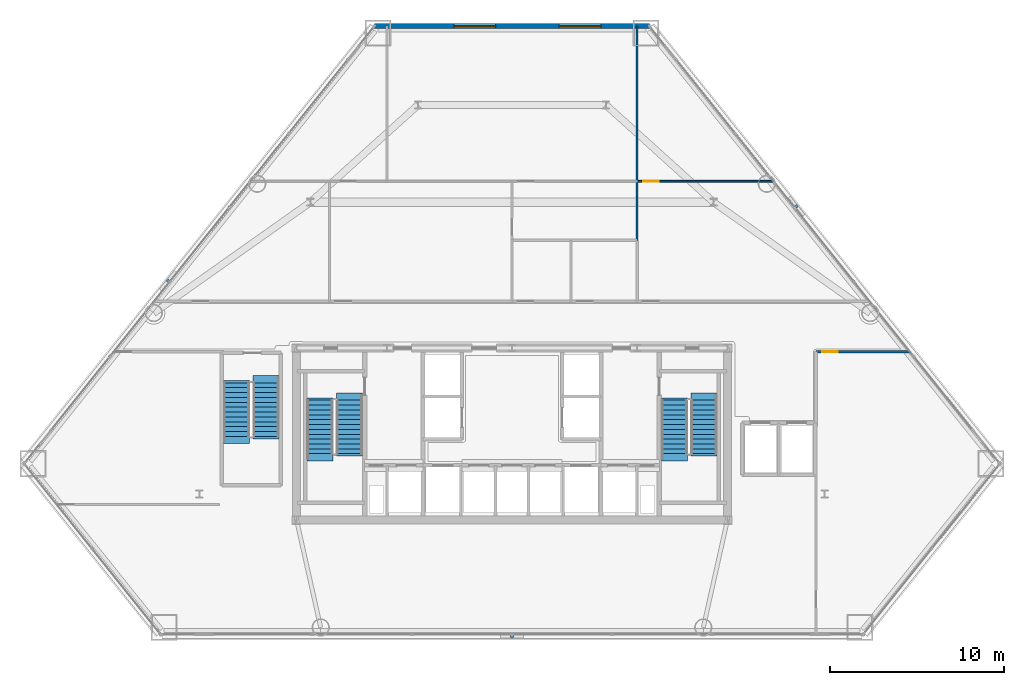
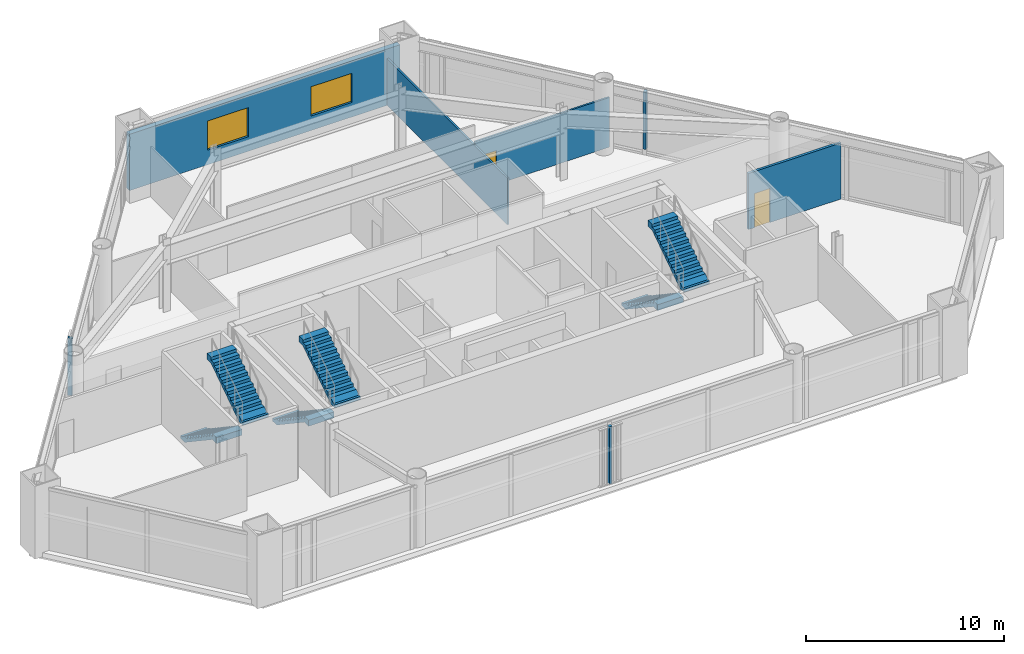
# One storey, part 10 of 13: 6 stair flights, 4 walls, 3 discrete accessories, 2 doors, 2 windows, 4 openings, 3 elements without a shape of their own.
"""IFC4 building model written with IfcOpenShell, lengths in metres."""

from ifc_helpers import new_model, si_unit, direction, frame, frame_2d, origin, origin_2d, place, context, subcontext, project, spatial, polyline, rectangle, outline, extrude, source, transform, mapped, material, layer, layer_set, type_object, type_shapes, element, fill, aggregate, save


model = new_model("IFC4")

# Units and contexts
model_context = context("Model", 3, precision=1e-05, world=origin(), true_north=direction((0.0, 1.0)))
body_context = subcontext(model_context, "Body", "Model", "MODEL_VIEW")
ifc_project = project(units=[si_unit("LENGTHUNIT", "METRE"), si_unit("AREAUNIT", "SQUARE_METRE"), si_unit("VOLUMEUNIT", "CUBIC_METRE"), si_unit("PLANEANGLEUNIT", "RADIAN"), si_unit("MASSUNIT", "GRAM", prefix="KILO")], contexts=[model_context])

# Site, building, storey
site_placement = place(None, origin())
site = spatial("IfcSite", under=ifc_project, at=site_placement, CompositionType="ELEMENT")
building_placement = place(site_placement, origin())
building = spatial("IfcBuilding", under=site, at=building_placement, Name="Talgorran Terracotta Tower", CompositionType="ELEMENT")
storey_placement = place(building_placement, frame((0.0, 0.0, 14.39990234375)))
storey = spatial("IfcBuildingStorey", under=building, at=storey_placement, Name="L03", CompositionType="ELEMENT", Elevation=14.39990234375)

# Wall, opening, door
ifc_material_1 = material(Name="Fire-Rated Steel Stud Plasterboard", Category="steel")
ifc_layer_1 = layer(ifc_material_1, 0.14990234375, Name="WT_FIRE_150")
ifc_layer_set_1 = layer_set([ifc_layer_1], Name="Fire-Rated Steel Stud Plasterboard")
wall_type_1 = type_object("IfcWallType", Name="WT_FIRE_150", PredefinedType="PARTITIONING", material=ifc_layer_set_1)
wall_1_placement = place(storey_placement, frame((17.5, -4.39990234375, 0.0), z_axis=(0.0, 0.0, 1.0), x_axis=(1.0, 0.0, 0.0)))
wall_1 = element("IfcWall", 1, at=wall_1_placement, inside=storey, type_object=wall_type_1, Name="WL-L03-W-L03-R03", PredefinedType="PARTITIONING", context=body_context, shape_type="SweptSolid", body=[
    extrude(rectangle(XDim=5.411865234375, YDim=0.14990234375, at=frame_2d((2.7060546875, 0.0))), origin(), (0.0, 0.0, 1.0), 3.46337890625),
])
opening_1_placement = place(wall_1_placement, frame((0.3583984375, 0.0, 0.0)))
opening_1 = element("IfcOpeningElement", 2, at=opening_1_placement, cuts=wall_1, Name="Opening DR-L03-R02", PredefinedType="OPENING", context=body_context, shape_type="SweptSolid", body=[
    extrude(rectangle(XDim=0.90590234375, YDim=2.10409765625, at=frame_2d((0.449951171875, 1.052001953125))), frame((0.0, 0.0849609375, 0.0), z_axis=(0.0, -1.0, 0.0), x_axis=(1.0, 0.0, 0.0)), (0.0, 0.0, 1.0), 0.169921875),
])
ifc_material_2 = material(Name="Fire-Rated Timber Core", Category="wood")
door_type_1 = type_object("IfcDoorType", Name="DT_FIRE_900", OperationType="NOTDEFINED", PredefinedType="DOOR", material=ifc_material_2)
door_1_placement = place(opening_1_placement, origin())
door_1 = element("IfcDoor", 3, at=door_1_placement, inside=storey, type_object=door_type_1, Name="DR-L03-R02", OperationType="SINGLE_SWING_RIGHT", OverallHeight=2.10009765625, OverallWidth=0.89990234375, PredefinedType="DOOR", context=body_context, shape_type="SweptSolid", body=[
    extrude(rectangle(XDim=0.89990234375, YDim=2.10009765625, at=frame_2d((0.449951171875, 1.050048828125))), frame((0.0, 0.02490234375, 0.0), z_axis=(0.0, -1.0, 0.0), x_axis=(1.0, 0.0, 0.0)), (0.0, 0.0, 1.0), 0.050048828125),
])
fill(opening_1, door_1)

# Wall
ifc_material_3 = material(Name="Lightweight Steel Stud Partition", Category="steel")
ifc_layer_2 = layer(ifc_material_3, 0.10498046875, Name="WT_PART_110")
ifc_layer_set_2 = layer_set([ifc_layer_2], Name="Lightweight Steel Stud Partition")
wall_type_2 = type_object("IfcWallType", Name="WT_PART_110", PredefinedType="PARTITIONING", material=ifc_layer_set_2)
wall_2_placement = place(storey_placement, frame((7.199951171875, 2.0, 0.0), z_axis=(0.0, 0.0, 1.0), x_axis=(0.0, 1.0, 0.0)))
element("IfcWall", 4, at=wall_2_placement, inside=storey, type_object=wall_type_2, Name="WL-L03-W-L03-R25", PredefinedType="PARTITIONING", context=body_context, shape_type="SweptSolid", body=[
    extrude(rectangle(XDim=12.3359375, YDim=0.10498046875, at=frame_2d((6.16796875, 0.0))), origin(), (0.0, 0.0, 1.0), 2.875),
])

# Wall, opening, door
wall_3_placement = place(storey_placement, frame((7.199951171875, 5.39990234375, 0.0), z_axis=(0.0, 0.0, 1.0), x_axis=(1.0, 0.0, 0.0)))
wall_3 = element("IfcWall", 5, at=wall_3_placement, inside=storey, type_object=wall_type_2, Name="WL-L03-W-L03-R23", PredefinedType="PARTITIONING", context=body_context, shape_type="SweptSolid", body=[
    extrude(rectangle(XDim=7.863037109375, YDim=0.10498046875, at=frame_2d((3.931640625, 0.0))), origin(), (0.0, 0.0, 1.0), 3.0751953125),
])
opening_2_placement = place(wall_3_placement, frame((0.358642578125, 0.0, 0.0)))
opening_2 = element("IfcOpeningElement", 6, at=opening_2_placement, cuts=wall_3, Name="Opening DR-L03-R12", PredefinedType="OPENING", context=body_context, shape_type="SweptSolid", body=[
    extrude(rectangle(XDim=0.8858828125, YDim=2.10409765625, at=frame_2d((0.43994140625, 1.052001953125))), frame((0.0, 0.0625, 0.0), z_axis=(0.0, -1.0, 0.0), x_axis=(1.0, 0.0, 0.0)), (0.0, 0.0, 1.0), 0.125),
])
ifc_material_4 = material(Name="Solid-Core Painted Timber", Category="wood")
door_type_2 = type_object("IfcDoorType", Name="DT_INT_880", OperationType="NOTDEFINED", PredefinedType="DOOR", material=ifc_material_4)
door_2_placement = place(opening_2_placement, origin())
door_2 = element("IfcDoor", 7, at=door_2_placement, inside=storey, type_object=door_type_2, Name="DR-L03-R12", OperationType="SINGLE_SWING_RIGHT", OverallHeight=2.10009765625, OverallWidth=0.8798828125, PredefinedType="DOOR", context=body_context, shape_type="SweptSolid", body=[
    extrude(rectangle(XDim=0.8798828125, YDim=2.10009765625, at=frame_2d((0.43994140625, 1.050048828125))), frame((0.0, 0.02490234375, 0.0), z_axis=(0.0, -1.0, 0.0), x_axis=(1.0, 0.0, 0.0)), (0.0, 0.0, 1.0), 0.050048828125),
])
fill(opening_2, door_2)

# Wall, openings, windows
ifc_material_5 = material(Name="Concrete C40/50", Category="concrete")
ifc_layer_3 = layer(ifc_material_5, 0.300048828125, Name="WT_PORTAL_PRECAST")
ifc_layer_set_3 = layer_set([ifc_layer_3], Name="Concrete C40/50")
wall_type_3 = type_object("IfcWallType", Name="WT_PORTAL_PRECAST", PredefinedType="SOLIDWALL", material=ifc_layer_set_3)
wall_4_placement = place(storey_placement, frame((7.906494140625, 14.3359375, -0.014892578125), z_axis=(0.0, 0.0, 1.0), x_axis=(-1.0, 0.0, 0.0)))
wall_4 = element("IfcWall", 8, at=wall_4_placement, inside=storey, type_object=wall_type_3, Name="WL-L03-PODS", PredefinedType="SOLIDWALL", context=body_context, shape_type="SweptSolid", body=[
    extrude(rectangle(XDim=15.81298828125, YDim=0.300048828125, at=frame_2d((7.906494140625, 0.0))), origin(), (0.0, 0.0, 1.0), 3.478271484375),
])
opening_3_placement = place(wall_4_placement, frame((2.78955078125, 0.0, 0.89990234375)))
opening_3 = element("IfcOpeningElement", 9, at=opening_3_placement, cuts=wall_4, Name="Opening WN-L03-1", PredefinedType="OPENING", context=body_context, shape_type="SweptSolid", body=[
    extrude(rectangle(XDim=2.40590234375, YDim=1.804048828125, at=frame_2d((1.199951171875, 0.902099609375))), frame((0.0, 0.16015625, 0.0), z_axis=(0.0, -1.0, 0.0), x_axis=(1.0, 0.0, 0.0)), (0.0, 0.0, 1.0), 0.320068359375),
])
opening_4_placement = place(wall_4_placement, frame((8.855224609375, 0.0, 0.89990234375)))
opening_4 = element("IfcOpeningElement", 10, at=opening_4_placement, cuts=wall_4, Name="Opening WN-L03-2", PredefinedType="OPENING", context=body_context, shape_type="SweptSolid", body=[
    extrude(rectangle(XDim=2.40590234375, YDim=1.804048828125, at=frame_2d((1.199951171875, 0.902099609375))), frame((0.0, 0.16015625, 0.0), z_axis=(0.0, -1.0, 0.0), x_axis=(1.0, 0.0, 0.0)), (0.0, 0.0, 1.0), 0.320068359375),
])
ifc_material_6 = material(Name="Thermally Broken Aluminium and Low-E Glass", Category="aluminium")
window_type = type_object("IfcWindowType", Name="WNT_CLINIC_2400", PartitioningType="SINGLE_PANEL", PredefinedType="WINDOW", material=ifc_material_6)
window_1_placement = place(opening_3_placement, origin())
window_1 = element("IfcWindow", 11, at=window_1_placement, inside=storey, type_object=window_type, Name="WN-L03-PODS-1", OverallHeight=1.800048828125, OverallWidth=2.39990234375, PartitioningType="SINGLE_PANEL", PredefinedType="WINDOW", context=body_context, shape_type="SweptSolid", body=[
    extrude(rectangle(XDim=2.39990234375, YDim=1.800048828125, at=frame_2d((1.199951171875, 0.89990234375))), frame((0.0, 0.030029296875, 0.0), z_axis=(0.0, -1.0, 0.0), x_axis=(1.0, 0.0, 0.0)), (0.0, 0.0, 1.0), 0.06005859375),
])
fill(opening_3, window_1)
window_2_placement = place(opening_4_placement, origin())
window_2 = element("IfcWindow", 12, at=window_2_placement, inside=storey, type_object=window_type, Name="WN-L03-PODS-2", OverallHeight=1.800048828125, OverallWidth=2.39990234375, PartitioningType="SINGLE_PANEL", PredefinedType="WINDOW", context=body_context, shape_type="SweptSolid", body=[
    extrude(rectangle(XDim=2.39990234375, YDim=1.800048828125, at=frame_2d((1.199951171875, 0.89990234375))), frame((0.0, 0.030029296875, 0.0), z_axis=(0.0, -1.0, 0.0), x_axis=(1.0, 0.0, 0.0)), (0.0, 0.0, 1.0), 0.06005859375),
])
fill(opening_4, window_2)

# Stair, stair flights
stair_type_1 = type_object("IfcStairType", Name="ST_FIRE_SCISSOR", PredefinedType="HALF_TURN_STAIR", material=ifc_material_5)
stair_1_placement = place(storey_placement, origin())
stair_1 = element("IfcStair", 13, at=stair_1_placement, inside=storey, type_object=stair_type_1, Name="L03 West Protected Fire Stair ST-01", PredefinedType="HALF_TURN_STAIR")
ifc_layer_4 = layer(ifc_material_5, 0.179931640625, Name="STF_RC_1500")
ifc_layer_set_4 = layer_set([ifc_layer_4], Name="Concrete C40/50")
stair_flight_type_1 = type_object("IfcStairFlightType", Name="STF_RC_1500", PredefinedType="STRAIGHT", material=ifc_layer_set_4)
stair_flight_1_placement = place(storey_placement, frame((-11.050048828125, -7.199951171875, 0.0), z_axis=(0.0, 0.0, 1.0), x_axis=(0.0, -1.0, 0.0)))
stair_flight_1 = element("IfcStairFlight", 14, at=stair_flight_1_placement, type_object=stair_flight_type_1, Name="ST-01 flight 1", NumberOfRisers=12, NumberOfTreads=11, PredefinedType="STRAIGHT", RiserHeight=0.1875, TreadLength=0.28, context=body_context, shape_type="SweptSolid", body=[
    extrude(outline(polyline([(-0.139892578125, 0.0), (-0.139892578125, 0.1875), (0.0, 0.1875), (0.280029296875, 0.375), (0.56005859375, 0.375), (0.56005859375, 0.5625), (0.840087890625, 0.5625), (0.840087890625, 0.75), (1.1201171875, 0.75), (1.1201171875, 0.9375), (1.39990234375, 0.9375), (1.39990234375, 1.125), (1.679931640625, 1.125), (1.679931640625, 1.3125), (1.9599609375, 1.3125), (1.9599609375, 1.5), (2.239990234375, 1.5), (2.239990234375, 1.6875), (2.52001953125, 1.6875), (2.52001953125, 1.875), (2.800048828125, 1.875), (2.800048828125, 2.0625), (3.080078125, 2.0625), (3.080078125, 2.25), (3.5, 2.25), (3.5, 1.882080078125), (3.080078125, 1.882080078125), (0.26953125, 0.0), (-0.139892578125, 0.0)])), frame((0.0, 0.75, 0.0), z_axis=(0.0, -1.0, 0.0), x_axis=(1.0, 0.0, 0.0)), (0.0, 0.0, 1.0), 1.5),
])
stair_flight_2_placement = place(storey_placement, frame((-9.35009765625, -10.280029296875, 2.25), z_axis=(0.0, 0.0, 1.0), x_axis=(0.0, 1.0, 0.0)))
stair_flight_2 = element("IfcStairFlight", 15, at=stair_flight_2_placement, type_object=stair_flight_type_1, Name="ST-01 flight 2", NumberOfRisers=12, NumberOfTreads=11, PredefinedType="STRAIGHT", RiserHeight=0.1875, TreadLength=0.28, context=body_context, shape_type="SweptSolid", body=[
    extrude(outline(polyline([(-0.139892578125, 0.0), (-0.139892578125, 0.1875), (0.0, 0.1875), (0.280029296875, 0.375), (0.56005859375, 0.375), (0.56005859375, 0.5625), (0.840087890625, 0.5625), (0.840087890625, 0.75), (1.1201171875, 0.75), (1.1201171875, 0.9375), (1.39990234375, 0.9375), (1.39990234375, 1.125), (1.679931640625, 1.125), (1.679931640625, 1.3125), (1.9599609375, 1.3125), (1.9599609375, 1.5), (2.239990234375, 1.5), (2.239990234375, 1.6875), (2.52001953125, 1.6875), (2.52001953125, 1.875), (2.800048828125, 1.875), (2.800048828125, 2.0625), (3.080078125, 2.0625), (3.080078125, 2.25), (3.5, 2.25), (3.5, 1.882080078125), (3.080078125, 1.882080078125), (0.26953125, 0.0), (-0.139892578125, 0.0)])), frame((0.0, 0.75, 0.0), z_axis=(0.0, -1.0, 0.0), x_axis=(1.0, 0.0, 0.0)), (0.0, 0.0, 1.0), 1.5),
])
aggregate(stair_1, [stair_flight_1, stair_flight_2])

stair_2_placement = place(storey_placement, origin())
stair_2 = element("IfcStair", 16, at=stair_2_placement, inside=storey, type_object=stair_type_1, Name="L03 East Protected Fire Stair ST-02", PredefinedType="HALF_TURN_STAIR")
stair_flight_3_placement = place(storey_placement, frame((9.35009765625, -7.199951171875, 0.0), z_axis=(0.0, 0.0, 1.0), x_axis=(0.0, -1.0, 0.0)))
stair_flight_3 = element("IfcStairFlight", 17, at=stair_flight_3_placement, type_object=stair_flight_type_1, Name="ST-02 flight 1", NumberOfRisers=12, NumberOfTreads=11, PredefinedType="STRAIGHT", RiserHeight=0.1875, TreadLength=0.28, context=body_context, shape_type="SweptSolid", body=[
    extrude(outline(polyline([(-0.139892578125, 0.0), (-0.139892578125, 0.1875), (0.0, 0.1875), (0.280029296875, 0.375), (0.56005859375, 0.375), (0.56005859375, 0.5625), (0.840087890625, 0.5625), (0.840087890625, 0.75), (1.1201171875, 0.75), (1.1201171875, 0.9375), (1.39990234375, 0.9375), (1.39990234375, 1.125), (1.679931640625, 1.125), (1.679931640625, 1.3125), (1.9599609375, 1.3125), (1.9599609375, 1.5), (2.239990234375, 1.5), (2.239990234375, 1.6875), (2.52001953125, 1.6875), (2.52001953125, 1.875), (2.800048828125, 1.875), (2.800048828125, 2.0625), (3.080078125, 2.0625), (3.080078125, 2.25), (3.5, 2.25), (3.5, 1.882080078125), (3.080078125, 1.882080078125), (0.26953125, 0.0), (-0.139892578125, 0.0)])), frame((0.0, 0.75, 0.0), z_axis=(0.0, -1.0, 0.0), x_axis=(1.0, 0.0, 0.0)), (0.0, 0.0, 1.0), 1.5),
])
stair_flight_4_placement = place(storey_placement, frame((11.050048828125, -10.280029296875, 2.25), z_axis=(0.0, 0.0, 1.0), x_axis=(0.0, 1.0, 0.0)))
stair_flight_4 = element("IfcStairFlight", 18, at=stair_flight_4_placement, type_object=stair_flight_type_1, Name="ST-02 flight 2", NumberOfRisers=12, NumberOfTreads=11, PredefinedType="STRAIGHT", RiserHeight=0.1875, TreadLength=0.28, context=body_context, shape_type="SweptSolid", body=[
    extrude(outline(polyline([(-0.139892578125, 0.0), (-0.139892578125, 0.1875), (0.0, 0.1875), (0.280029296875, 0.375), (0.56005859375, 0.375), (0.56005859375, 0.5625), (0.840087890625, 0.5625), (0.840087890625, 0.75), (1.1201171875, 0.75), (1.1201171875, 0.9375), (1.39990234375, 0.9375), (1.39990234375, 1.125), (1.679931640625, 1.125), (1.679931640625, 1.3125), (1.9599609375, 1.3125), (1.9599609375, 1.5), (2.239990234375, 1.5), (2.239990234375, 1.6875), (2.52001953125, 1.6875), (2.52001953125, 1.875), (2.800048828125, 1.875), (2.800048828125, 2.0625), (3.080078125, 2.0625), (3.080078125, 2.25), (3.5, 2.25), (3.5, 1.882080078125), (3.080078125, 1.882080078125), (0.26953125, 0.0), (-0.139892578125, 0.0)])), frame((0.0, 0.75, 0.0), z_axis=(0.0, -1.0, 0.0), x_axis=(1.0, 0.0, 0.0)), (0.0, 0.0, 1.0), 1.5),
])
aggregate(stair_2, [stair_flight_3, stair_flight_4])

stair_type_2 = type_object("IfcStairType", Name="ST_PODIUM_DOGLEG", PredefinedType="HALF_TURN_STAIR", material=ifc_material_5)
stair_3_placement = place(storey_placement, origin())
stair_3 = element("IfcStair", 19, at=stair_3_placement, inside=storey, type_object=stair_type_2, Name="L03 Podium Health Fire Stair ST-03", PredefinedType="HALF_TURN_STAIR")
ifc_layer_5 = layer(ifc_material_5, 0.195068359375, Name="STF_RC_PODIUM")
ifc_layer_set_5 = layer_set([ifc_layer_5], Name="Concrete C40/50")
stair_flight_type_2 = type_object("IfcStairFlightType", Name="STF_RC_PODIUM", PredefinedType="STRAIGHT", material=ifc_layer_set_5)
stair_flight_5_placement = place(storey_placement, frame((-15.85009765625, -6.199951171875, 0.0), z_axis=(0.0, 0.0, 1.0), x_axis=(0.0, -1.0, 0.0)))
stair_flight_5 = element("IfcStairFlight", 20, at=stair_flight_5_placement, type_object=stair_flight_type_2, Name="ST-03 flight 1", NumberOfRisers=12, NumberOfTreads=11, PredefinedType="STRAIGHT", RiserHeight=0.1875, TreadLength=0.28, context=body_context, shape_type="SweptSolid", body=[
    extrude(outline(polyline([(-0.139892578125, 0.0), (-0.139892578125, 0.1875), (0.0, 0.1875), (0.280029296875, 0.375), (0.56005859375, 0.375), (0.56005859375, 0.5625), (0.840087890625, 0.5625), (0.840087890625, 0.75), (1.1201171875, 0.75), (1.1201171875, 0.9375), (1.39990234375, 0.9375), (1.39990234375, 1.125), (1.679931640625, 1.125), (1.679931640625, 1.3125), (1.9599609375, 1.3125), (1.9599609375, 1.5), (2.239990234375, 1.5), (2.239990234375, 1.6875), (2.52001953125, 1.6875), (2.52001953125, 1.875), (2.800048828125, 1.875), (2.800048828125, 2.0625), (3.080078125, 2.0625), (3.080078125, 2.25), (3.5, 2.25), (3.5, 1.882080078125), (3.080078125, 1.882080078125), (0.26953125, 0.0), (-0.139892578125, 0.0)])), frame((0.0, 0.75, 0.0), z_axis=(0.0, -1.0, 0.0), x_axis=(1.0, 0.0, 0.0)), (0.0, 0.0, 1.0), 1.5),
])
stair_flight_6_placement = place(storey_placement, frame((-14.14990234375, -9.280029296875, 2.25), z_axis=(0.0, 0.0, 1.0), x_axis=(0.0, 1.0, 0.0)))
stair_flight_6 = element("IfcStairFlight", 21, at=stair_flight_6_placement, type_object=stair_flight_type_2, Name="ST-03 flight 2", NumberOfRisers=12, NumberOfTreads=11, PredefinedType="STRAIGHT", RiserHeight=0.1875, TreadLength=0.28, context=body_context, shape_type="SweptSolid", body=[
    extrude(outline(polyline([(-0.139892578125, 0.0), (-0.139892578125, 0.1875), (0.0, 0.1875), (0.280029296875, 0.375), (0.56005859375, 0.375), (0.56005859375, 0.5625), (0.840087890625, 0.5625), (0.840087890625, 0.75), (1.1201171875, 0.75), (1.1201171875, 0.9375), (1.39990234375, 0.9375), (1.39990234375, 1.125), (1.679931640625, 1.125), (1.679931640625, 1.3125), (1.9599609375, 1.3125), (1.9599609375, 1.5), (2.239990234375, 1.5), (2.239990234375, 1.6875), (2.52001953125, 1.6875), (2.52001953125, 1.875), (2.800048828125, 1.875), (2.800048828125, 2.0625), (3.080078125, 2.0625), (3.080078125, 2.25), (3.5, 2.25), (3.5, 1.882080078125), (3.080078125, 1.882080078125), (0.26953125, 0.0), (-0.139892578125, 0.0)])), frame((0.0, 0.75, 0.0), z_axis=(0.0, -1.0, 0.0), x_axis=(1.0, 0.0, 0.0)), (0.0, 0.0, 1.0), 1.5),
])
aggregate(stair_3, [stair_flight_5, stair_flight_6])

# Discrete accessories
ifc_material_7 = material(Name="Stainless Steel Grade 316", Category="steel")
ifc_layer_6 = layer(ifc_material_7, 0.080078125, Name="ACC_BAGUETTE_BRKT")
ifc_layer_set_6 = layer_set([ifc_layer_6], Name="Stainless Steel Grade 316")
discrete_accessory_type = type_object("IfcDiscreteAccessoryType", Name="ACC_BAGUETTE_BRKT", PredefinedType="BRACKET", material=ifc_layer_set_6)
shared_shape = source(origin(), body_context, "Body", "SweptSolid", [
    extrude(rectangle(XDim=0.159912109375, YDim=0.219970703125, at=origin_2d()), origin(), (0.0, 0.0, 1.0), 3.550048828125),
])
type_shapes(discrete_accessory_type, [shared_shape])
for number, where, z_axis, x_axis, name in (
    (22, (0.0, -20.75, 0.35009765625), (0.0, 0.0, 1.0), (1.0, 0.0, 0.0), "BRK-L03-F1"),
    (23, (16.32958984375, 3.9306640625, 0.35009765625), (0.0, 0.0, 1.0), (-0.625120058901, 0.780528610597, 0.0), "BRK-L03-F3"),
    (24, (-19.76025390625, -0.35302734375, 0.35009765625), (0.0, 0.0, 1.0), (-0.625120058901, -0.780528610597, 0.0), "BRK-L03-F5"),
):
    element("IfcDiscreteAccessory", number, at=place(storey_placement, frame(where, z_axis=z_axis, x_axis=x_axis)), inside=storey, type_object=discrete_accessory_type, Name=name, PredefinedType="BRACKET", context=body_context, shape_type="MappedRepresentation", body=[
        mapped(shared_shape, transform((0.0, 0.0, 0.0), scale=1.0)),
    ])

save(model, "model.ifc")
